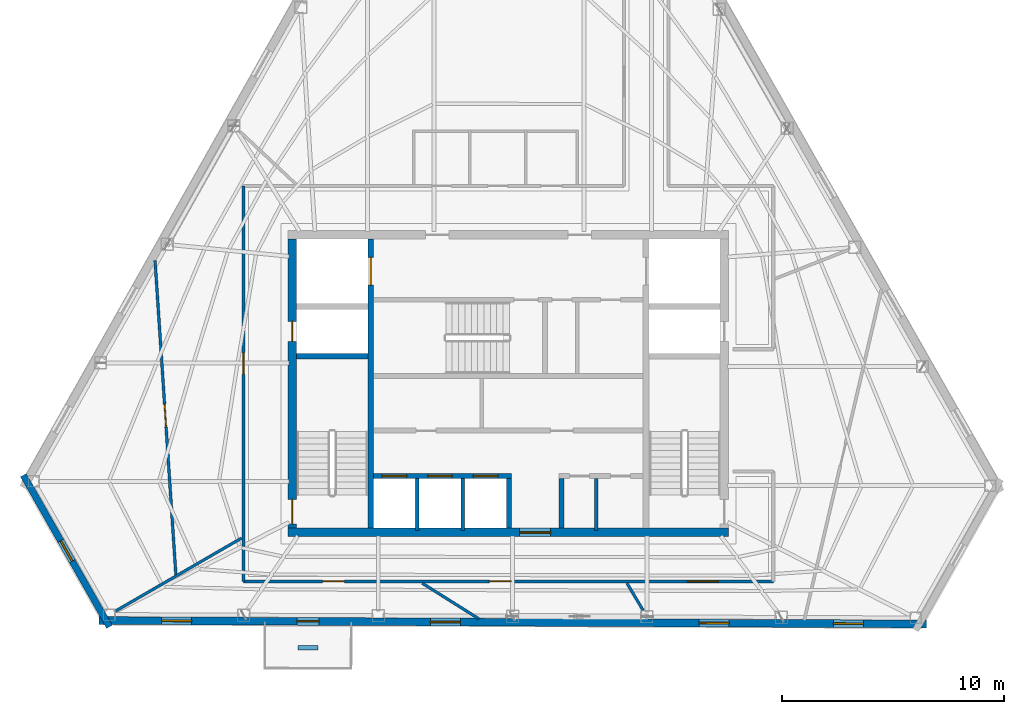
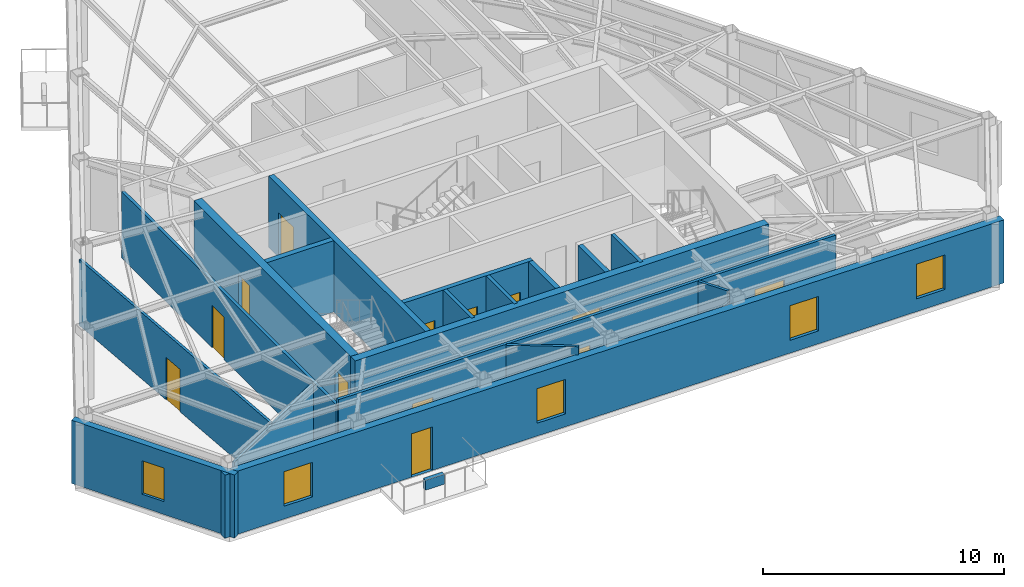
# One storey, part 7 of 10: 19 walls, 13 doors, 5 windows, 18 openings.
"""IFC4 building model written with IfcOpenShell, lengths in metres."""

from ifc_helpers import new_model, si_unit, direction, frame, frame_2d, origin, place, context, subcontext, project, spatial, rectangle, extrude, material, layer, layer_set, type_object, element, fill, save


model = new_model("IFC4")

# Units and contexts
model_context = context("Model", 3, precision=1e-05, world=origin(), true_north=direction((0.0, 1.0)))
body_context = subcontext(model_context, "Body", "Model", "MODEL_VIEW")
ifc_project = project(units=[si_unit("LENGTHUNIT", "METRE"), si_unit("AREAUNIT", "SQUARE_METRE"), si_unit("VOLUMEUNIT", "CUBIC_METRE"), si_unit("PLANEANGLEUNIT", "RADIAN"), si_unit("MASSUNIT", "GRAM", prefix="KILO")], contexts=[model_context])

# Site, building, storey
site_placement = place(None, origin())
site = spatial("IfcSite", under=ifc_project, at=site_placement, CompositionType="ELEMENT")
building_placement = place(site_placement, origin())
building = spatial("IfcBuilding", under=site, at=building_placement, Name="Kavelnor Concourse Tower", CompositionType="ELEMENT")
storey_placement = place(building_placement, frame((0.0, 0.0, 239.5)))
storey = spatial("IfcBuildingStorey", under=building, at=storey_placement, Name="L60", CompositionType="ELEMENT", Elevation=239.5)

# Wall, opening, door
ifc_material_1 = material(Name="Concrete C50/60", Category="concrete")
ifc_layer_1 = layer(ifc_material_1, 0.3798828125, Name="Concrete C50/60")
ifc_layer_set_1 = layer_set([ifc_layer_1], Name="Concrete C50/60")
wall_type_1 = type_object("IfcWallType", Name="WL-CORE-Z4-380", PredefinedType="SOLIDWALL", material=ifc_layer_set_1)
wall_1_placement = place(storey_placement, frame((28.10009765625, 9.409912109375, 0.0), z_axis=(0.0, 0.0, 1.0), x_axis=(1.0, 0.0, 0.0)))
wall_1 = element("IfcWall", 1, at=wall_1_placement, inside=storey, type_object=wall_type_1, Name="L60 Central Core South Shear Wall", PredefinedType="SOLIDWALL", context=body_context, shape_type="SweptSolid", body=[
    extrude(rectangle(XDim=19.7998046875, YDim=0.3798828125, at=frame_2d((9.89990234375, 0.0))), origin(), (0.0, 0.0, 1.0), 3.610107421875),
])
opening_1_placement = place(wall_1_placement, frame((10.39990234375, 0.0, 0.0)))
opening_1 = element("IfcOpeningElement", 2, at=opening_1_placement, cuts=wall_1, Name="Opening SD-140", PredefinedType="OPENING", context=body_context, shape_type="SweptSolid", body=[
    extrude(rectangle(XDim=1.39990234375, YDim=2.199951171875, at=frame_2d((0.699951171875, 1.10009765625))), frame((0.0, 0.199951171875, 0.0), z_axis=(0.0, -1.0, 0.0), x_axis=(1.0, 0.0, 0.0)), (0.0, 0.0, 1.0), 0.39990234375),
])
ifc_material_2 = material(Name="Solid-core hardwood timber", Category="wood")
door_type_1 = type_object("IfcDoorType", Name="DR-SUITE-ENTRY-1400", OperationType="NOTDEFINED", PredefinedType="DOOR", material=ifc_material_2)
door_1_placement = place(opening_1_placement, origin())
door_1 = element("IfcDoor", 3, at=door_1_placement, inside=storey, type_object=door_type_1, Name="L60 Passenger Lift Lobby Entry Door", OperationType="SINGLE_SWING_LEFT", OverallHeight=2.199951171875, OverallWidth=1.39990234375, PredefinedType="DOOR", context=body_context, shape_type="SweptSolid", body=[
    extrude(rectangle(XDim=1.39990234375, YDim=2.199951171875, at=frame_2d((0.699951171875, 1.10009765625))), frame((0.0, 0.02490234375, 0.0), z_axis=(0.0, -1.0, 0.0), x_axis=(1.0, 0.0, 0.0)), (0.0, 0.0, 1.0), 0.050048828125),
])
fill(opening_1, door_1)

# Wall, openings, doors
wall_2_placement = place(storey_placement, frame((28.2900390625, 9.60009765625, 0.0), z_axis=(0.0, 0.0, 1.0), x_axis=(0.0, 1.0, 0.0)))
wall_2 = element("IfcWall", 4, at=wall_2_placement, inside=storey, type_object=wall_type_1, Name="L60 Central Core West Shear Wall", PredefinedType="SOLIDWALL", context=body_context, shape_type="SweptSolid", body=[
    extrude(rectangle(XDim=13.0, YDim=0.3798828125, at=frame_2d((6.5, 0.0))), origin(), (0.0, 0.0, 1.0), 3.610107421875),
])
opening_2_placement = place(wall_2_placement, frame((0.199951171875, 0.0, 0.0)))
opening_2 = element("IfcOpeningElement", 5, at=opening_2_placement, cuts=wall_2, Name="Opening FD-110", PredefinedType="OPENING", context=body_context, shape_type="SweptSolid", body=[
    extrude(rectangle(XDim=1.10009765625, YDim=2.14990234375, at=frame_2d((0.550048828125, 1.074951171875))), frame((0.0, 0.199951171875, 0.0), z_axis=(0.0, -1.0, 0.0), x_axis=(1.0, 0.0, 0.0)), (0.0, 0.0, 1.0), 0.39990234375),
])
opening_3_placement = place(wall_2_placement, frame((8.39990234375, 0.0, 0.0)))
opening_3 = element("IfcOpeningElement", 6, at=opening_3_placement, cuts=wall_2, Name="Opening FD-090", PredefinedType="OPENING", context=body_context, shape_type="SweptSolid", body=[
    extrude(rectangle(XDim=0.89990234375, YDim=2.10009765625, at=frame_2d((0.449951171875, 1.050048828125))), frame((0.0, 0.199951171875, 0.0), z_axis=(0.0, -1.0, 0.0), x_axis=(1.0, 0.0, 0.0)), (0.0, 0.0, 1.0), 0.39990234375),
])
ifc_material_3 = material(Name="Steel Grade 350", Category="steel")
door_type_2 = type_object("IfcDoorType", Name="DR-RISER-FIRE-900", OperationType="NOTDEFINED", PredefinedType="DOOR", material=ifc_material_3)
door_2_placement = place(opening_3_placement, origin())
door_2 = element("IfcDoor", 7, at=door_2_placement, inside=storey, type_object=door_type_2, Name="L60 West Riser Access Door", OperationType="SINGLE_SWING_RIGHT", OverallHeight=2.10009765625, OverallWidth=0.89990234375, PredefinedType="DOOR", context=body_context, shape_type="SweptSolid", body=[
    extrude(rectangle(XDim=0.89990234375, YDim=2.10009765625, at=frame_2d((0.449951171875, 1.050048828125))), frame((0.0, 0.02490234375, 0.0), z_axis=(0.0, -1.0, 0.0), x_axis=(1.0, 0.0, 0.0)), (0.0, 0.0, 1.0), 0.050048828125),
])
fill(opening_3, door_2)
door_type_3 = type_object("IfcDoorType", Name="DR-STAIR-FIRE-1100", OperationType="NOTDEFINED", PredefinedType="DOOR", material=ifc_material_3)
door_3_placement = place(opening_2_placement, origin())
door_3 = element("IfcDoor", 8, at=door_3_placement, inside=storey, type_object=door_type_3, Name="L60 Stair ST1 Fire Door", OperationType="SINGLE_SWING_LEFT", OverallHeight=2.14990234375, OverallWidth=1.10009765625, PredefinedType="DOOR", context=body_context, shape_type="SweptSolid", body=[
    extrude(rectangle(XDim=1.10009765625, YDim=2.14990234375, at=frame_2d((0.550048828125, 1.074951171875))), frame((0.0, 0.02490234375, 0.0), z_axis=(0.0, -1.0, 0.0), x_axis=(1.0, 0.0, 0.0)), (0.0, 0.0, 1.0), 0.050048828125),
])
fill(opening_2, door_3)

# Wall, opening, window
ifc_material_4 = material(Name="Buff ironspot clay face brick masonry", Category="masonry")
ifc_layer_2 = layer(ifc_material_4, 0.300048828125, Name="Buff ironspot clay face brick masonry")
ifc_layer_set_2 = layer_set([ifc_layer_2], Name="Buff ironspot clay face brick masonry")
wall_type_2 = type_object("IfcWallType", Name="WL-EXT-BUFF-BRICK-FOLD-300", PredefinedType="STANDARD", material=ifc_layer_set_2)
wall_3_placement = place(storey_placement, frame((20.06787109375, 5.17041015625, 0.0), z_axis=(0.0, 0.0, 1.0), x_axis=(-0.494295761475, 0.869293793943, 0.0)))
wall_3 = element("IfcWall", 9, at=wall_3_placement, inside=storey, type_object=wall_type_2, Name="L60 Exterior Brick Facade Wall E2", PredefinedType="STANDARD", context=body_context, shape_type="SweptSolid", body=[
    extrude(rectangle(XDim=7.8359375, YDim=0.300048828125, at=frame_2d((3.91796875, 0.0))), origin(), (0.0, 0.0, 1.0), 3.196044921875),
])
opening_4_placement = place(wall_3_placement, frame((3.39306640625, 0.0, 0.64990234375)))
opening_4 = element("IfcOpeningElement", 10, at=opening_4_placement, cuts=wall_3, Name="Opening W-06", PredefinedType="OPENING", context=body_context, shape_type="SweptSolid", body=[
    extrude(rectangle(XDim=1.050048828125, YDim=1.699951171875, at=frame_2d((0.52490234375, 0.85009765625))), frame((0.0, 0.16015625, 0.0), z_axis=(0.0, -1.0, 0.0), x_axis=(1.0, 0.0, 0.0)), (0.0, 0.0, 1.0), 0.320068359375),
])
ifc_material_5 = material(Name="Double low-E argon insulated glazing", Category="glass")
window_type_1 = type_object("IfcWindowType", Name="WIN-FOLD-1050", PartitioningType="SINGLE_PANEL", PredefinedType="WINDOW", material=ifc_material_5)
window_1_placement = place(opening_4_placement, origin())
window_1 = element("IfcWindow", 11, at=window_1_placement, inside=storey, type_object=window_type_1, Name="L60 Chamfer-Fold Facet Window C1", OverallHeight=1.699951171875, OverallWidth=1.050048828125, PartitioningType="SINGLE_PANEL", PredefinedType="WINDOW", context=body_context, shape_type="SweptSolid", body=[
    extrude(rectangle(XDim=1.050048828125, YDim=1.699951171875, at=frame_2d((0.52490234375, 0.85009765625))), frame((0.0, 0.030029296875, 0.0), z_axis=(0.0, -1.0, 0.0), x_axis=(1.0, 0.0, 0.0)), (0.0, 0.0, 1.0), 0.06005859375),
])
fill(opening_4, window_1)

# Wall, openings, door, windows
ifc_material_6 = material(Name="Red-ochre clay face brick masonry", Category="masonry")
ifc_layer_3 = layer(ifc_material_6, 0.35009765625, Name="Red-ochre clay face brick masonry")
ifc_layer_set_3 = layer_set([ifc_layer_3], Name="Red-ochre clay face brick masonry")
wall_type_3 = type_object("IfcWallType", Name="WL-EXT-RED-BRICK-PIER-350", PredefinedType="STANDARD", material=ifc_layer_set_3)
wall_4_placement = place(storey_placement, frame((56.789794921875, 5.29443359375, 0.0), z_axis=(0.0, 0.0, 1.0), x_axis=(-0.999991124913, 0.004213086292, 0.0)))
wall_4 = element("IfcWall", 12, at=wall_4_placement, inside=storey, type_object=wall_type_3, Name="L60 Exterior Brick Facade Wall E3", PredefinedType="STANDARD", context=body_context, shape_type="SweptSolid", body=[
    extrude(rectangle(XDim=37.20263671875, YDim=0.35009765625, at=frame_2d((18.601318359375, 0.0))), origin(), (0.0, 0.0, 1.0), 3.196044921875),
])
opening_5_placement = place(wall_4_placement, frame((27.302001953125, 0.0, 0.0)))
opening_5 = element("IfcOpeningElement", 13, at=opening_5_placement, cuts=wall_4, Name="Opening BD-100", PredefinedType="OPENING", context=body_context, shape_type="SweptSolid", body=[
    extrude(rectangle(XDim=1.0, YDim=2.199951171875, at=frame_2d((0.5, 1.10009765625))), frame((0.0, 0.18505859375, 0.0), z_axis=(0.0, -1.0, 0.0), x_axis=(1.0, 0.0, 0.0)), (0.0, 0.0, 1.0), 0.3701171875),
])
opening_6_placement = place(wall_4_placement, frame((33.029541015625, 0.0, 0.64990234375)))
opening_6 = element("IfcOpeningElement", 14, at=opening_6_placement, cuts=wall_4, Name="Opening W-04", PredefinedType="OPENING", context=body_context, shape_type="SweptSolid", body=[
    extrude(rectangle(XDim=1.35009765625, YDim=1.75, at=frame_2d((0.675048828125, 0.875))), frame((0.0, 0.18505859375, 0.0), z_axis=(0.0, -1.0, 0.0), x_axis=(1.0, 0.0, 0.0)), (0.0, 0.0, 1.0), 0.3701171875),
])
opening_7_placement = place(wall_4_placement, frame((20.948486328125, 0.0, 0.64990234375)))
opening_7 = element("IfcOpeningElement", 15, at=opening_7_placement, cuts=wall_4, Name="Opening W-04", PredefinedType="OPENING", context=body_context, shape_type="SweptSolid", body=[
    extrude(rectangle(XDim=1.35009765625, YDim=1.75, at=frame_2d((0.675048828125, 0.875))), frame((0.0, 0.18505859375, 0.0), z_axis=(0.0, -1.0, 0.0), x_axis=(1.0, 0.0, 0.0)), (0.0, 0.0, 1.0), 0.3701171875),
])
opening_8_placement = place(wall_4_placement, frame((8.86767578125, 0.0, 0.64990234375)))
opening_8 = element("IfcOpeningElement", 16, at=opening_8_placement, cuts=wall_4, Name="Opening W-04", PredefinedType="OPENING", context=body_context, shape_type="SweptSolid", body=[
    extrude(rectangle(XDim=1.35009765625, YDim=1.75, at=frame_2d((0.675048828125, 0.875))), frame((0.0, 0.18505859375, 0.0), z_axis=(0.0, -1.0, 0.0), x_axis=(1.0, 0.0, 0.0)), (0.0, 0.0, 1.0), 0.3701171875),
])
opening_9_placement = place(wall_4_placement, frame((2.8271484375, 0.0, 0.64990234375)))
opening_9 = element("IfcOpeningElement", 17, at=opening_9_placement, cuts=wall_4, Name="Opening W-04", PredefinedType="OPENING", context=body_context, shape_type="SweptSolid", body=[
    extrude(rectangle(XDim=1.35009765625, YDim=1.75, at=frame_2d((0.675048828125, 0.875))), frame((0.0, 0.18505859375, 0.0), z_axis=(0.0, -1.0, 0.0), x_axis=(1.0, 0.0, 0.0)), (0.0, 0.0, 1.0), 0.3701171875),
])
ifc_material_7 = material(Name="Anodised aluminium 6063-T6", Category="aluminium")
door_type_4 = type_object("IfcDoorType", Name="DR-BALCONY-EXT-1000", OperationType="NOTDEFINED", PredefinedType="DOOR", material=ifc_material_7)
door_4_placement = place(opening_5_placement, origin())
door_4 = element("IfcDoor", 18, at=door_4_placement, inside=storey, type_object=door_type_4, Name="L60 Tree Balcony 2 Glazed Door", OperationType="SINGLE_SWING_RIGHT", OverallHeight=2.199951171875, OverallWidth=1.0, PredefinedType="DOOR", context=body_context, shape_type="SweptSolid", body=[
    extrude(rectangle(XDim=1.0, YDim=2.199951171875, at=frame_2d((0.5, 1.10009765625))), frame((0.0, 0.02490234375, 0.0), z_axis=(0.0, -1.0, 0.0), x_axis=(1.0, 0.0, 0.0)), (0.0, 0.0, 1.0), 0.050048828125),
])
fill(opening_5, door_4)
window_type_2 = type_object("IfcWindowType", Name="WIN-PIER-Z4-1350", PartitioningType="SINGLE_PANEL", PredefinedType="WINDOW", material=ifc_material_5)
window_2_placement = place(opening_6_placement, origin())
window_2 = element("IfcWindow", 19, at=window_2_placement, inside=storey, type_object=window_type_2, Name="L60 Deep-Set Brick Pier Window F1-B0", OverallHeight=1.75, OverallWidth=1.35009765625, PartitioningType="SINGLE_PANEL", PredefinedType="WINDOW", context=body_context, shape_type="SweptSolid", body=[
    extrude(rectangle(XDim=1.35009765625, YDim=1.75, at=frame_2d((0.675048828125, 0.875))), frame((0.0, 0.030029296875, 0.0), z_axis=(0.0, -1.0, 0.0), x_axis=(1.0, 0.0, 0.0)), (0.0, 0.0, 1.0), 0.06005859375),
])
fill(opening_6, window_2)
window_3_placement = place(opening_7_placement, origin())
window_3 = element("IfcWindow", 20, at=window_3_placement, inside=storey, type_object=window_type_2, Name="L60 Deep-Set Brick Pier Window F1-B2", OverallHeight=1.75, OverallWidth=1.35009765625, PartitioningType="SINGLE_PANEL", PredefinedType="WINDOW", context=body_context, shape_type="SweptSolid", body=[
    extrude(rectangle(XDim=1.35009765625, YDim=1.75, at=frame_2d((0.675048828125, 0.875))), frame((0.0, 0.030029296875, 0.0), z_axis=(0.0, -1.0, 0.0), x_axis=(1.0, 0.0, 0.0)), (0.0, 0.0, 1.0), 0.06005859375),
])
fill(opening_7, window_3)
window_4_placement = place(opening_8_placement, origin())
window_4 = element("IfcWindow", 21, at=window_4_placement, inside=storey, type_object=window_type_2, Name="L60 Deep-Set Brick Pier Window F1-B4", OverallHeight=1.75, OverallWidth=1.35009765625, PartitioningType="SINGLE_PANEL", PredefinedType="WINDOW", context=body_context, shape_type="SweptSolid", body=[
    extrude(rectangle(XDim=1.35009765625, YDim=1.75, at=frame_2d((0.675048828125, 0.875))), frame((0.0, 0.030029296875, 0.0), z_axis=(0.0, -1.0, 0.0), x_axis=(1.0, 0.0, 0.0)), (0.0, 0.0, 1.0), 0.06005859375),
])
fill(opening_8, window_4)
window_5_placement = place(opening_9_placement, origin())
window_5 = element("IfcWindow", 22, at=window_5_placement, inside=storey, type_object=window_type_2, Name="L60 Deep-Set Brick Pier Window F1-B5", OverallHeight=1.75, OverallWidth=1.35009765625, PartitioningType="SINGLE_PANEL", PredefinedType="WINDOW", context=body_context, shape_type="SweptSolid", body=[
    extrude(rectangle(XDim=1.35009765625, YDim=1.75, at=frame_2d((0.675048828125, 0.875))), frame((0.0, 0.030029296875, 0.0), z_axis=(0.0, -1.0, 0.0), x_axis=(1.0, 0.0, 0.0)), (0.0, 0.0, 1.0), 0.06005859375),
])
fill(opening_9, window_5)

# Wall, openings, doors
ifc_material_8 = material(Name="Gypsum plasterboard on light-gauge steel studs", Category="steel")
ifc_layer_4 = layer(ifc_material_8, 0.14501953125, Name="Gypsum plasterboard on light-gauge steel studs")
ifc_layer_set_4 = layer_set([ifc_layer_4], Name="Gypsum plasterboard on light-gauge steel studs")
wall_type_4 = type_object("IfcWallType", Name="WL-INT-CORR-145", PredefinedType="PARTITIONING", material=ifc_layer_set_4)
wall_5_placement = place(storey_placement, frame((49.909912109375, 7.2099609375, 0.0), z_axis=(0.0, 0.0, 1.0), x_axis=(-1.0, 0.0, 0.0)))
wall_5 = element("IfcWall", 23, at=wall_5_placement, inside=storey, type_object=wall_type_4, Name="L60 Corridor Wall WL-L60-CR-09", PredefinedType="PARTITIONING", context=body_context, shape_type="SweptSolid", body=[
    extrude(rectangle(XDim=23.81982421875, YDim=0.14501953125, at=frame_2d((11.909912109375, 0.0))), origin(), (0.0, 0.0, 1.0), 3.610107421875),
])
opening_10_placement = place(wall_5_placement, frame((11.781494140625, 0.0, 0.0)))
opening_10 = element("IfcOpeningElement", 24, at=opening_10_placement, cuts=wall_5, Name="Opening OD-098", PredefinedType="OPENING", context=body_context, shape_type="SweptSolid", body=[
    extrude(rectangle(XDim=0.97998046875, YDim=2.14990234375, at=frame_2d((0.489990234375, 1.074951171875))), frame((0.0, 0.08251953125, 0.0), z_axis=(0.0, -1.0, 0.0), x_axis=(1.0, 0.0, 0.0)), (0.0, 0.0, 1.0), 0.1650390625),
])
opening_11_placement = place(wall_5_placement, frame((19.28759765625, 0.0, 0.0)))
opening_11 = element("IfcOpeningElement", 25, at=opening_11_placement, cuts=wall_5, Name="Opening OD-098", PredefinedType="OPENING", context=body_context, shape_type="SweptSolid", body=[
    extrude(rectangle(XDim=0.97998046875, YDim=2.14990234375, at=frame_2d((0.489990234375, 1.074951171875))), frame((0.0, 0.08251953125, 0.0), z_axis=(0.0, -1.0, 0.0), x_axis=(1.0, 0.0, 0.0)), (0.0, 0.0, 1.0), 0.1650390625),
])
opening_12_placement = place(wall_5_placement, frame((2.472900390625, 0.0, 0.0)))
opening_12 = element("IfcOpeningElement", 26, at=opening_12_placement, cuts=wall_5, Name="Opening SD-140", PredefinedType="OPENING", context=body_context, shape_type="SweptSolid", body=[
    extrude(rectangle(XDim=1.39990234375, YDim=2.199951171875, at=frame_2d((0.699951171875, 1.10009765625))), frame((0.0, 0.08251953125, 0.0), z_axis=(0.0, -1.0, 0.0), x_axis=(1.0, 0.0, 0.0)), (0.0, 0.0, 1.0), 0.1650390625),
])
door_type_5 = type_object("IfcDoorType", Name="DR-OFFICE-980", OperationType="NOTDEFINED", PredefinedType="DOOR", material=ifc_material_2)
door_5_placement = place(opening_10_placement, origin())
door_5 = element("IfcDoor", 27, at=door_5_placement, inside=storey, type_object=door_type_5, Name="L60 Technical Reference Library 04 Door", OperationType="SINGLE_SWING_LEFT", OverallHeight=2.14990234375, OverallWidth=0.97998046875, PredefinedType="DOOR", context=body_context, shape_type="SweptSolid", body=[
    extrude(rectangle(XDim=0.97998046875, YDim=2.14990234375, at=frame_2d((0.489990234375, 1.074951171875))), frame((0.0, 0.02490234375, 0.0), z_axis=(0.0, -1.0, 0.0), x_axis=(1.0, 0.0, 0.0)), (0.0, 0.0, 1.0), 0.050048828125),
])
fill(opening_10, door_5)
door_6_placement = place(opening_11_placement, origin())
door_6 = element("IfcDoor", 28, at=door_6_placement, inside=storey, type_object=door_type_5, Name="L60 Technical Reference Library 05 Door", OperationType="SINGLE_SWING_RIGHT", OverallHeight=2.14990234375, OverallWidth=0.97998046875, PredefinedType="DOOR", context=body_context, shape_type="SweptSolid", body=[
    extrude(rectangle(XDim=0.97998046875, YDim=2.14990234375, at=frame_2d((0.489990234375, 1.074951171875))), frame((0.0, 0.02490234375, 0.0), z_axis=(0.0, -1.0, 0.0), x_axis=(1.0, 0.0, 0.0)), (0.0, 0.0, 1.0), 0.050048828125),
])
fill(opening_11, door_6)
door_7_placement = place(opening_12_placement, origin())
door_7 = element("IfcDoor", 29, at=door_7_placement, inside=storey, type_object=door_type_1, Name="L60 Technical Reference Library 06 Door", OperationType="SINGLE_SWING_LEFT", OverallHeight=2.199951171875, OverallWidth=1.39990234375, PredefinedType="DOOR", context=body_context, shape_type="SweptSolid", body=[
    extrude(rectangle(XDim=1.39990234375, YDim=2.199951171875, at=frame_2d((0.699951171875, 1.10009765625))), frame((0.0, 0.02490234375, 0.0), z_axis=(0.0, -1.0, 0.0), x_axis=(1.0, 0.0, 0.0)), (0.0, 0.0, 1.0), 0.050048828125),
])
fill(opening_12, door_7)

# Wall, opening, door
wall_6_placement = place(storey_placement, frame((26.090087890625, 7.2099609375, 0.0), z_axis=(0.0, 0.0, 1.0), x_axis=(0.0, 1.0, 0.0)))
wall_6 = element("IfcWall", 30, at=wall_6_placement, inside=storey, type_object=wall_type_4, Name="L60 Corridor Wall WL-L60-CR-10", PredefinedType="PARTITIONING", context=body_context, shape_type="SweptSolid", body=[
    extrude(rectangle(XDim=17.780029296875, YDim=0.14501953125, at=frame_2d((8.89013671875, 0.0))), origin(), (0.0, 0.0, 1.0), 3.34912109375),
])
opening_13_placement = place(wall_6_placement, frame((9.30517578125, 0.0, 0.0)))
opening_13 = element("IfcOpeningElement", 31, at=opening_13_placement, cuts=wall_6, Name="Opening OD-098", PredefinedType="OPENING", context=body_context, shape_type="SweptSolid", body=[
    extrude(rectangle(XDim=0.97998046875, YDim=2.14990234375, at=frame_2d((0.489990234375, 1.074951171875))), frame((0.0, 0.08251953125, 0.0), z_axis=(0.0, -1.0, 0.0), x_axis=(1.0, 0.0, 0.0)), (0.0, 0.0, 1.0), 0.1650390625),
])
door_8_placement = place(opening_13_placement, origin())
door_8 = element("IfcDoor", 32, at=door_8_placement, inside=storey, type_object=door_type_5, Name="L60 Tenant Bookstore Retail Shop 02 Door", OperationType="SINGLE_SWING_LEFT", OverallHeight=2.14990234375, OverallWidth=0.97998046875, PredefinedType="DOOR", context=body_context, shape_type="SweptSolid", body=[
    extrude(rectangle(XDim=0.97998046875, YDim=2.14990234375, at=frame_2d((0.489990234375, 1.074951171875))), frame((0.0, 0.02490234375, 0.0), z_axis=(0.0, -1.0, 0.0), x_axis=(1.0, 0.0, 0.0)), (0.0, 0.0, 1.0), 0.050048828125),
])
fill(opening_13, door_8)

# Walls
ifc_layer_5 = layer(ifc_material_8, 0.1650390625, Name="Gypsum plasterboard on light-gauge steel studs")
ifc_layer_set_5 = layer_set([ifc_layer_5], Name="Gypsum plasterboard on light-gauge steel studs")
wall_type_5 = type_object("IfcWallType", Name="WL-INT-FIRE-165", PredefinedType="PARTITIONING", material=ifc_layer_set_5)
for number, where, z_axis, x_axis, name in (
    (33, (33.89990234375, 9.489990234375, 0.0), (0.0, 0.0, 1.0), (0.0, 1.0, 0.0), "L60 Lift Shaft Divider LP7"),
    (34, (35.949951171875, 9.489990234375, 0.0), (0.0, 0.0, 1.0), (0.0, 1.0, 0.0), "L60 Lift Shaft Divider LP8"),
    (35, (41.949951171875, 9.489990234375, 0.0), (0.0, 0.0, 1.0), (0.0, 1.0, 0.0), "L60 Core WC Partition"),
):
    element("IfcWall", number, at=place(storey_placement, frame(where, z_axis=z_axis, x_axis=x_axis)), inside=storey, type_object=wall_type_5, Name=name, PredefinedType="PARTITIONING", context=body_context, shape_type="SweptSolid", body=[
        extrude(rectangle(XDim=2.35009765625, YDim=0.1650390625, at=frame_2d((1.175048828125, 0.0))), origin(), (0.0, 0.0, 1.0), 3.610107421875),
    ])
ifc_layer_6 = layer(ifc_material_8, 0.125, Name="Gypsum plasterboard on light-gauge steel studs")
ifc_layer_set_6 = layer_set([ifc_layer_6], Name="Gypsum plasterboard on light-gauge steel studs")
wall_type_6 = type_object("IfcWallType", Name="WL-INT-SUITE-125", PredefinedType="PARTITIONING", material=ifc_layer_set_6)
wall_7_placement = place(storey_placement, frame((26.009521484375, 9.1591796875, 0.0), z_axis=(0.0, 0.0, 1.0), x_axis=(-0.865468767554, -0.500962885241, 0.0)))
element("IfcWall", 36, at=wall_7_placement, inside=storey, type_object=wall_type_6, Name="L60 Radial Suite Partition 03", PredefinedType="PARTITIONING", context=body_context, shape_type="SweptSolid", body=[
    extrude(rectangle(XDim=6.55712890625, YDim=0.125, at=frame_2d((3.278564453125, 0.0))), origin(), (0.0, 0.0, 1.0), 3.24609375),
])
wall_8_placement = place(storey_placement, frame((43.32958984375, 7.12939453125, 0.0), z_axis=(0.0, 0.0, 1.0), x_axis=(0.510784350638, -0.859708873481, 0.0)))
element("IfcWall", 37, at=wall_8_placement, inside=storey, type_object=wall_type_6, Name="L60 Radial Suite Partition 04", PredefinedType="PARTITIONING", context=body_context, shape_type="SweptSolid", body=[
    extrude(rectangle(XDim=1.423828125, YDim=0.125, at=frame_2d((0.7119140625, 0.0))), origin(), (0.0, 0.0, 1.0), 3.610107421875),
])

# Wall, opening, door
wall_9_placement = place(storey_placement, frame((22.1142578125, 21.6328125, 0.0), z_axis=(0.0, 0.0, 1.0), x_axis=(0.06614923697, -0.997809740606, 0.0)))
wall_9 = element("IfcWall", 38, at=wall_9_placement, inside=storey, type_object=wall_type_6, Name="L60 Suite Subdivision Partition 02", PredefinedType="PARTITIONING", context=body_context, shape_type="SweptSolid", body=[
    extrude(rectangle(XDim=14.1982421875, YDim=0.125, at=frame_2d((7.09912109375, 0.0))), origin(), (0.0, 0.0, 1.0), 3.34912109375),
])
opening_14_placement = place(wall_9_placement, frame((6.473388671875, 0.0, 0.0)))
opening_14 = element("IfcOpeningElement", 39, at=opening_14_placement, cuts=wall_9, Name="Opening MD-102", PredefinedType="OPENING", context=body_context, shape_type="SweptSolid", body=[
    extrude(rectangle(XDim=1.02001953125, YDim=2.14990234375, at=frame_2d((0.510009765625, 1.074951171875))), frame((0.0, 0.072509765625, 0.0), z_axis=(0.0, -1.0, 0.0), x_axis=(1.0, 0.0, 0.0)), (0.0, 0.0, 1.0), 0.14501953125),
])
ifc_material_9 = material(Name="Acoustic glazed timber frame", Category="wood")
door_type_6 = type_object("IfcDoorType", Name="DR-MEETING-1020", OperationType="NOTDEFINED", PredefinedType="DOOR", material=ifc_material_9)
door_9_placement = place(opening_14_placement, origin())
door_9 = element("IfcDoor", 40, at=door_9_placement, inside=storey, type_object=door_type_6, Name="L60 Client Boardroom 03 Door", OperationType="SINGLE_SWING_RIGHT", OverallHeight=2.14990234375, OverallWidth=1.02001953125, PredefinedType="DOOR", context=body_context, shape_type="SweptSolid", body=[
    extrude(rectangle(XDim=1.02001953125, YDim=2.14990234375, at=frame_2d((0.510009765625, 1.074951171875))), frame((0.0, 0.02490234375, 0.0), z_axis=(0.0, -1.0, 0.0), x_axis=(1.0, 0.0, 0.0)), (0.0, 0.0, 1.0), 0.050048828125),
])
fill(opening_14, door_9)

# Walls
wall_10_placement = place(storey_placement, frame((34.12451171875, 7.12939453125, 0.0), z_axis=(0.0, 0.0, 1.0), x_axis=(0.846525696198, -0.532347861531, 0.0)))
element("IfcWall", 41, at=wall_10_placement, inside=storey, type_object=wall_type_6, Name="L60 Suite Subdivision Partition 03", PredefinedType="PARTITIONING", context=body_context, shape_type="SweptSolid", body=[
    extrude(rectangle(XDim=3.005615234375, YDim=0.125, at=frame_2d((1.5029296875, 0.0))), origin(), (0.0, 0.0, 1.0), 3.610107421875),
])
ifc_material_10 = material(Name="Architectural precast planter concrete C40/50", Category="concrete")
ifc_layer_7 = layer(ifc_material_10, 0.18994140625, Name="Architectural precast planter concrete C40/50")
ifc_layer_set_7 = layer_set([ifc_layer_7], Name="Architectural precast planter concrete C40/50")
wall_type_7 = type_object("IfcWallType", Name="WL-PLANTER-KERB-190", PredefinedType="USERDEFINED", material=ifc_layer_set_7)
wall_11_placement = place(storey_placement, frame((28.532958984375, 4.228515625, 0.0), z_axis=(0.0, 0.0, 1.0), x_axis=(0.999990584193, -0.004339530607, 0.0)))
element("IfcWall", 42, at=wall_11_placement, inside=storey, type_object=wall_type_7, Name="L60 Tree Balcony 2 Tree Planter Kerb", ObjectType="PLANTER", PredefinedType="USERDEFINED", context=body_context, shape_type="SweptSolid", body=[
    extrude(rectangle(XDim=0.900146484375, YDim=0.18994140625, at=frame_2d((0.4501953125, 0.0))), origin(), (0.0, 0.0, 1.0), 0.5),
])

# Wall, openings, doors
ifc_layer_8 = layer(ifc_material_1, 0.219970703125, Name="Concrete C50/60")
ifc_layer_set_8 = layer_set([ifc_layer_8], Name="Concrete C50/60")
wall_type_8 = type_object("IfcWallType", Name="WL-SHAFT-220", PredefinedType="SOLIDWALL", material=ifc_layer_set_8)
wall_12_placement = place(storey_placement, frame((31.93994140625, 11.949951171875, 0.0), z_axis=(0.0, 0.0, 1.0), x_axis=(1.0, 0.0, 0.0)))
wall_12 = element("IfcWall", 43, at=wall_12_placement, inside=storey, type_object=wall_type_8, Name="L60 High-Rise Lift Bank North Wall", PredefinedType="SOLIDWALL", context=body_context, shape_type="SweptSolid", body=[
    extrude(rectangle(XDim=6.18994140625, YDim=0.219970703125, at=frame_2d((3.094970703125, 0.0))), origin(), (0.0, 0.0, 1.0), 3.610107421875),
])
opening_15_placement = place(wall_12_placement, frame((0.385009765625, 0.0, 0.0)))
opening_15 = element("IfcOpeningElement", 44, at=opening_15_placement, cuts=wall_12, Name="Opening LD-110", PredefinedType="OPENING", context=body_context, shape_type="SweptSolid", body=[
    extrude(rectangle(XDim=1.10009765625, YDim=2.199951171875, at=frame_2d((0.550048828125, 1.10009765625))), frame((0.0, 0.1201171875, 0.0), z_axis=(0.0, -1.0, 0.0), x_axis=(1.0, 0.0, 0.0)), (0.0, 0.0, 1.0), 0.239990234375),
])
opening_16_placement = place(wall_12_placement, frame((2.43505859375, 0.0, 0.0)))
opening_16 = element("IfcOpeningElement", 45, at=opening_16_placement, cuts=wall_12, Name="Opening LD-110", PredefinedType="OPENING", context=body_context, shape_type="SweptSolid", body=[
    extrude(rectangle(XDim=1.10009765625, YDim=2.199951171875, at=frame_2d((0.550048828125, 1.10009765625))), frame((0.0, 0.1201171875, 0.0), z_axis=(0.0, -1.0, 0.0), x_axis=(1.0, 0.0, 0.0)), (0.0, 0.0, 1.0), 0.239990234375),
])
opening_17_placement = place(wall_12_placement, frame((4.485107421875, 0.0, 0.0)))
opening_17 = element("IfcOpeningElement", 46, at=opening_17_placement, cuts=wall_12, Name="Opening LD-110", PredefinedType="OPENING", context=body_context, shape_type="SweptSolid", body=[
    extrude(rectangle(XDim=1.10009765625, YDim=2.199951171875, at=frame_2d((0.550048828125, 1.10009765625))), frame((0.0, 0.1201171875, 0.0), z_axis=(0.0, -1.0, 0.0), x_axis=(1.0, 0.0, 0.0)), (0.0, 0.0, 1.0), 0.239990234375),
])
door_type_7 = type_object("IfcDoorType", Name="DR-LIFT-SLIDING-1100", OperationType="NOTDEFINED", PredefinedType="DOOR", material=ifc_material_3)
door_10_placement = place(opening_15_placement, origin())
door_10 = element("IfcDoor", 47, at=door_10_placement, inside=storey, type_object=door_type_7, Name="L60 Lift LP7 Landing Door", OperationType="DOUBLE_DOOR_SLIDING", OverallHeight=2.199951171875, OverallWidth=1.10009765625, PredefinedType="DOOR", context=body_context, shape_type="SweptSolid", body=[
    extrude(rectangle(XDim=1.10009765625, YDim=2.199951171875, at=frame_2d((0.550048828125, 1.10009765625))), frame((0.0, 0.02490234375, 0.0), z_axis=(0.0, -1.0, 0.0), x_axis=(1.0, 0.0, 0.0)), (0.0, 0.0, 1.0), 0.050048828125),
])
fill(opening_15, door_10)
door_11_placement = place(opening_16_placement, origin())
door_11 = element("IfcDoor", 48, at=door_11_placement, inside=storey, type_object=door_type_7, Name="L60 Lift LP8 Landing Door", OperationType="DOUBLE_DOOR_SLIDING", OverallHeight=2.199951171875, OverallWidth=1.10009765625, PredefinedType="DOOR", context=body_context, shape_type="SweptSolid", body=[
    extrude(rectangle(XDim=1.10009765625, YDim=2.199951171875, at=frame_2d((0.550048828125, 1.10009765625))), frame((0.0, 0.02490234375, 0.0), z_axis=(0.0, -1.0, 0.0), x_axis=(1.0, 0.0, 0.0)), (0.0, 0.0, 1.0), 0.050048828125),
])
fill(opening_16, door_11)
door_12_placement = place(opening_17_placement, origin())
door_12 = element("IfcDoor", 49, at=door_12_placement, inside=storey, type_object=door_type_7, Name="L60 Lift LP9 Landing Door", OperationType="DOUBLE_DOOR_SLIDING", OverallHeight=2.199951171875, OverallWidth=1.10009765625, PredefinedType="DOOR", context=body_context, shape_type="SweptSolid", body=[
    extrude(rectangle(XDim=1.10009765625, YDim=2.199951171875, at=frame_2d((0.550048828125, 1.10009765625))), frame((0.0, 0.02490234375, 0.0), z_axis=(0.0, -1.0, 0.0), x_axis=(1.0, 0.0, 0.0)), (0.0, 0.0, 1.0), 0.050048828125),
])
fill(opening_17, door_12)

# Walls
for number, where, z_axis, x_axis, name in (
    (50, (38.02001953125, 9.60009765625, 0.0), (0.0, 0.0, 1.0), (0.0, 1.0, 0.0), "L60 Lift Lobby Throat West Wall"),
    (51, (40.389892578125, 9.60009765625, 0.0), (0.0, 0.0, 1.0), (0.0, 1.0, 0.0), "L60 Lift Lobby Throat East Wall"),
):
    element("IfcWall", number, at=place(storey_placement, frame(where, z_axis=z_axis, x_axis=x_axis)), inside=storey, type_object=wall_type_8, Name=name, PredefinedType="SOLIDWALL", context=body_context, shape_type="SweptSolid", body=[
        extrude(rectangle(XDim=2.239990234375, YDim=0.219970703125, at=frame_2d((1.1201171875, 0.0))), origin(), (0.0, 0.0, 1.0), 3.610107421875),
    ])

# Wall, opening, door
ifc_layer_9 = layer(ifc_material_1, 0.260009765625, Name="Concrete C50/60")
ifc_layer_set_9 = layer_set([ifc_layer_9], Name="Concrete C50/60")
wall_type_9 = type_object("IfcWallType", Name="WL-SHAFT-260", PredefinedType="SHEAR", material=ifc_layer_set_9)
wall_13_placement = place(storey_placement, frame((31.81005859375, 9.60009765625, 0.0), z_axis=(0.0, 0.0, 1.0), x_axis=(0.0, 1.0, 0.0)))
wall_13 = element("IfcWall", 52, at=wall_13_placement, inside=storey, type_object=wall_type_9, Name="L60 Core West Wing Shear Wall", PredefinedType="SHEAR", context=body_context, shape_type="SweptSolid", body=[
    extrude(rectangle(XDim=13.0, YDim=0.260009765625, at=frame_2d((6.5, 0.0))), origin(), (0.0, 0.0, 1.0), 3.610107421875),
])
opening_18_placement = place(wall_13_placement, frame((10.925048828125, 0.0, 0.0)))
opening_18 = element("IfcOpeningElement", 53, at=opening_18_placement, cuts=wall_13, Name="Opening LD-125", PredefinedType="OPENING", context=body_context, shape_type="SweptSolid", body=[
    extrude(rectangle(XDim=1.25, YDim=2.25, at=frame_2d((0.625, 1.125))), frame((0.0, 0.14013671875, 0.0), z_axis=(0.0, -1.0, 0.0), x_axis=(1.0, 0.0, 0.0)), (0.0, 0.0, 1.0), 0.280029296875),
])
door_type_8 = type_object("IfcDoorType", Name="DR-LIFT-SLIDING-1250", OperationType="NOTDEFINED", PredefinedType="DOOR", material=ifc_material_3)
door_13_placement = place(opening_18_placement, origin())
door_13 = element("IfcDoor", 54, at=door_13_placement, inside=storey, type_object=door_type_8, Name="L60 Emergency Lift FL1 Landing Door", OperationType="DOUBLE_DOOR_SLIDING", OverallHeight=2.25, OverallWidth=1.25, PredefinedType="DOOR", context=body_context, shape_type="SweptSolid", body=[
    extrude(rectangle(XDim=1.25, YDim=2.25, at=frame_2d((0.625, 1.125))), frame((0.0, 0.02490234375, 0.0), z_axis=(0.0, -1.0, 0.0), x_axis=(1.0, 0.0, 0.0)), (0.0, 0.0, 1.0), 0.050048828125),
])
fill(opening_18, door_13)

# Wall
wall_14_placement = place(storey_placement, frame((28.47998046875, 17.330078125, 0.0), z_axis=(0.0, 0.0, 1.0), x_axis=(1.0, 0.0, 0.0)))
element("IfcWall", 55, at=wall_14_placement, inside=storey, type_object=wall_type_9, Name="L60 Stair ST1 North Shaft Wall", PredefinedType="SHEAR", context=body_context, shape_type="SweptSolid", body=[
    extrude(rectangle(XDim=3.199951171875, YDim=0.260009765625, at=frame_2d((1.60009765625, 0.0))), origin(), (0.0, 0.0, 1.0), 3.610107421875),
])

save(model, "model.ifc")
